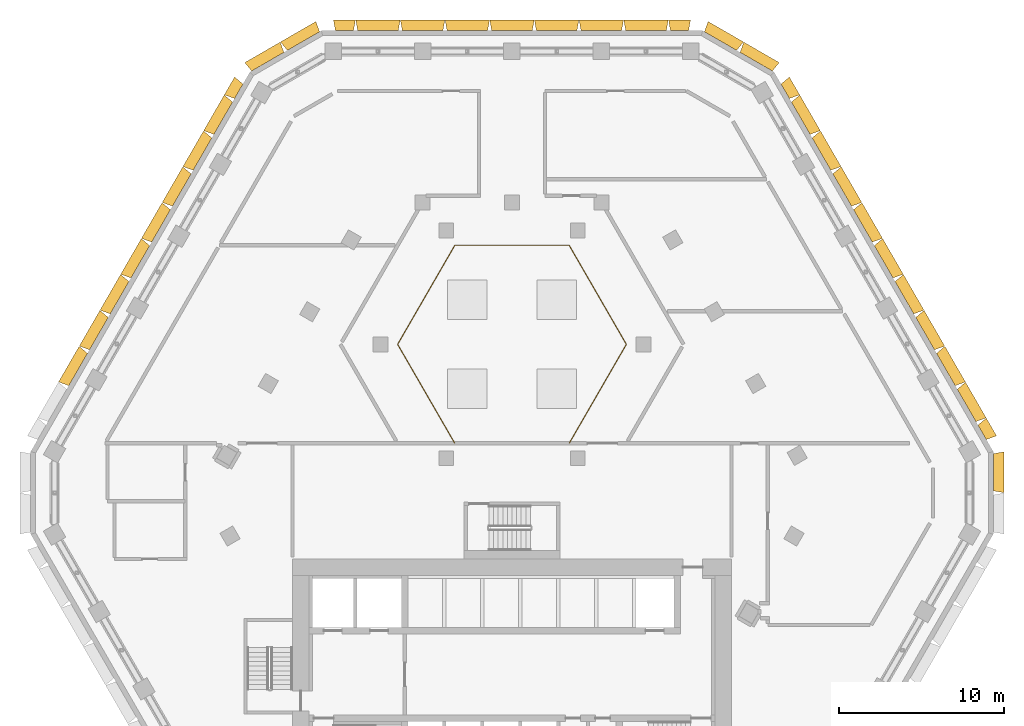
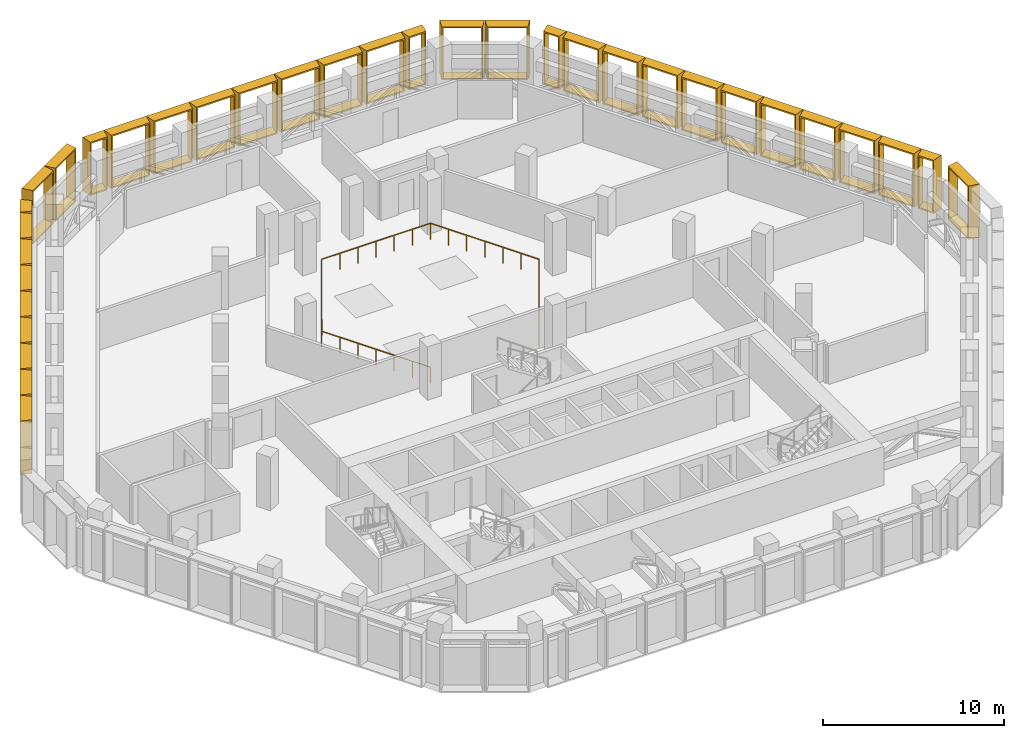
# One storey, part 23 of 23: 34 shading devices, 1 railing.
"""IFC4 building model written with IfcOpenShell, lengths in metres."""

from ifc_helpers import new_model, entity, si_unit, direction, frame, origin, origin_2d, place, context, subcontext, project, spatial, rectangle, extrude, source, transform, mapped, material, type_object, type_shapes, element, save


model = new_model("IFC4")

# Units and contexts
model_context = context("Model", 3, precision=1e-05, world=origin(), true_north=direction((0.0, 1.0)))
body_context = subcontext(model_context, "Body", "Model", "MODEL_VIEW")
ifc_project = project(units=[si_unit("LENGTHUNIT", "METRE"), si_unit("AREAUNIT", "SQUARE_METRE"), si_unit("VOLUMEUNIT", "CUBIC_METRE"), si_unit("PLANEANGLEUNIT", "RADIAN"), si_unit("MASSUNIT", "GRAM", prefix="KILO")], contexts=[model_context])

# Site, building, storey
site_placement = place(None, origin())
site = spatial("IfcSite", under=ifc_project, at=site_placement, CompositionType="ELEMENT")
building_placement = place(site_placement, origin())
building = spatial("IfcBuilding", under=site, at=building_placement, Name="Beryl Residences", CompositionType="ELEMENT")
storey_placement = place(building_placement, frame((0.0, 0.0, 108.0)))
storey = spatial("IfcBuildingStorey", under=building, at=storey_placement, Name="L33", CompositionType="ELEMENT", Elevation=108.0)

# Railing
ifc_material_1 = material(Name="Stainless steel balustrade with glass infill", Category="steel")
railing_type = type_object("IfcRailingType", Name="EG1 edge guard 1100 mm", PredefinedType="GUARDRAIL", material=ifc_material_1)
railing_placement = place(storey_placement, frame((3.464111328125, 2.0, 0.0)))
element("IfcRailing", 1, at=railing_placement, inside=storey, type_object=railing_type, Name="L33 guard 1", PredefinedType="GUARDRAIL", context=body_context, shape_type="SweptSolid", body=[
    extrude(rectangle(XDim=0.048095703125, YDim=0.048095703125, at=origin_2d()), frame((0.0, 0.0, 1.076171875), z_axis=(0.49997462182, 0.866040055388, 0.0), x_axis=(-0.866040055388, 0.49997462182, 0.0)), (0.0, 0.0, 1.0), 6.927978515625),
    extrude(rectangle(XDim=0.048095703125, YDim=0.048095703125, at=origin_2d()), frame((3.4638671875, 6.0, 1.076171875), z_axis=(-0.49997462182, 0.866040055388, 0.0), x_axis=(-0.866040055388, -0.49997462182, 0.0)), (0.0, 0.0, 1.0), 6.927978515625),
    extrude(rectangle(XDim=0.048095703125, YDim=0.048095703125, at=origin_2d()), frame((0.0, 12.0, 1.076171875), z_axis=(-1.0, 0.0, 0.0), x_axis=(0.0, -1.0, 0.0)), (0.0, 0.0, 1.0), 6.92822265625),
    extrude(rectangle(XDim=0.048095703125, YDim=0.048095703125, at=origin_2d()), frame((-6.92822265625, 12.0, 1.076171875), z_axis=(-0.49997462182, -0.866040055388, 0.0), x_axis=(0.866040055388, -0.49997462182, 0.0)), (0.0, 0.0, 1.0), 6.927978515625),
    extrude(rectangle(XDim=0.048095703125, YDim=0.048095703125, at=origin_2d()), frame((-10.39208984375, 6.0, 1.076171875), z_axis=(0.49997462182, -0.866040055388, 0.0), x_axis=(0.866040055388, 0.49997462182, 0.0)), (0.0, 0.0, 1.0), 6.927978515625),
    extrude(rectangle(XDim=0.0419921875, YDim=0.0419921875, at=origin_2d()), origin(), (0.0, 0.0, 1.0), 1.052001953125),
    extrude(rectangle(XDim=0.0419921875, YDim=0.0419921875, at=origin_2d()), frame((0.577392578125, 1.0, 0.0)), (0.0, 0.0, 1.0), 1.052001953125),
    extrude(rectangle(XDim=0.0419921875, YDim=0.0419921875, at=origin_2d()), frame((1.154541015625, 2.0, 0.0)), (0.0, 0.0, 1.0), 1.052001953125),
    extrude(rectangle(XDim=0.0419921875, YDim=0.0419921875, at=origin_2d()), frame((1.73193359375, 3.0, 0.0)), (0.0, 0.0, 1.0), 1.052001953125),
    extrude(rectangle(XDim=0.0419921875, YDim=0.0419921875, at=origin_2d()), frame((2.309326171875, 4.0, 0.0)), (0.0, 0.0, 1.0), 1.052001953125),
    extrude(rectangle(XDim=0.0419921875, YDim=0.0419921875, at=origin_2d()), frame((2.886474609375, 5.0, 0.0)), (0.0, 0.0, 1.0), 1.052001953125),
    extrude(rectangle(XDim=0.0419921875, YDim=0.0419921875, at=origin_2d()), frame((3.4638671875, 6.0, 0.0)), (0.0, 0.0, 1.0), 1.052001953125),
    extrude(rectangle(XDim=0.0419921875, YDim=0.0419921875, at=origin_2d()), frame((2.886474609375, 7.0, 0.0)), (0.0, 0.0, 1.0), 1.052001953125),
    extrude(rectangle(XDim=0.0419921875, YDim=0.0419921875, at=origin_2d()), frame((2.309326171875, 8.0, 0.0)), (0.0, 0.0, 1.0), 1.052001953125),
    extrude(rectangle(XDim=0.0419921875, YDim=0.0419921875, at=origin_2d()), frame((1.73193359375, 9.0, 0.0)), (0.0, 0.0, 1.0), 1.052001953125),
    extrude(rectangle(XDim=0.0419921875, YDim=0.0419921875, at=origin_2d()), frame((1.154541015625, 10.0, 0.0)), (0.0, 0.0, 1.0), 1.052001953125),
    extrude(rectangle(XDim=0.0419921875, YDim=0.0419921875, at=origin_2d()), frame((0.577392578125, 11.0, 0.0)), (0.0, 0.0, 1.0), 1.052001953125),
    extrude(rectangle(XDim=0.0419921875, YDim=0.0419921875, at=origin_2d()), frame((0.0, 12.0, 0.0)), (0.0, 0.0, 1.0), 1.052001953125),
    extrude(rectangle(XDim=0.0419921875, YDim=0.0419921875, at=origin_2d()), frame((-1.15478515625, 12.0, 0.0)), (0.0, 0.0, 1.0), 1.052001953125),
    extrude(rectangle(XDim=0.0419921875, YDim=0.0419921875, at=origin_2d()), frame((-2.309326171875, 12.0, 0.0)), (0.0, 0.0, 1.0), 1.052001953125),
    extrude(rectangle(XDim=0.0419921875, YDim=0.0419921875, at=origin_2d()), frame((-3.464111328125, 12.0, 0.0)), (0.0, 0.0, 1.0), 1.052001953125),
    extrude(rectangle(XDim=0.0419921875, YDim=0.0419921875, at=origin_2d()), frame((-4.618896484375, 12.0, 0.0)), (0.0, 0.0, 1.0), 1.052001953125),
    extrude(rectangle(XDim=0.0419921875, YDim=0.0419921875, at=origin_2d()), frame((-5.7734375, 12.0, 0.0)), (0.0, 0.0, 1.0), 1.052001953125),
    extrude(rectangle(XDim=0.0419921875, YDim=0.0419921875, at=origin_2d()), frame((-6.92822265625, 12.0, 0.0)), (0.0, 0.0, 1.0), 1.052001953125),
    extrude(rectangle(XDim=0.0419921875, YDim=0.0419921875, at=origin_2d()), frame((-7.505615234375, 11.0, 0.0)), (0.0, 0.0, 1.0), 1.052001953125),
    extrude(rectangle(XDim=0.0419921875, YDim=0.0419921875, at=origin_2d()), frame((-8.082763671875, 10.0, 0.0)), (0.0, 0.0, 1.0), 1.052001953125),
    extrude(rectangle(XDim=0.0419921875, YDim=0.0419921875, at=origin_2d()), frame((-8.66015625, 9.0, 0.0)), (0.0, 0.0, 1.0), 1.052001953125),
    extrude(rectangle(XDim=0.0419921875, YDim=0.0419921875, at=origin_2d()), frame((-9.237548828125, 8.0, 0.0)), (0.0, 0.0, 1.0), 1.052001953125),
    extrude(rectangle(XDim=0.0419921875, YDim=0.0419921875, at=origin_2d()), frame((-9.814697265625, 7.0, 0.0)), (0.0, 0.0, 1.0), 1.052001953125),
    extrude(rectangle(XDim=0.0419921875, YDim=0.0419921875, at=origin_2d()), frame((-10.39208984375, 6.0, 0.0)), (0.0, 0.0, 1.0), 1.052001953125),
    extrude(rectangle(XDim=0.0419921875, YDim=0.0419921875, at=origin_2d()), frame((-9.814697265625, 5.0, 0.0)), (0.0, 0.0, 1.0), 1.052001953125),
    extrude(rectangle(XDim=0.0419921875, YDim=0.0419921875, at=origin_2d()), frame((-9.237548828125, 4.0, 0.0)), (0.0, 0.0, 1.0), 1.052001953125),
    extrude(rectangle(XDim=0.0419921875, YDim=0.0419921875, at=origin_2d()), frame((-8.66015625, 3.0, 0.0)), (0.0, 0.0, 1.0), 1.052001953125),
    extrude(rectangle(XDim=0.0419921875, YDim=0.0419921875, at=origin_2d()), frame((-8.082763671875, 2.0, 0.0)), (0.0, 0.0, 1.0), 1.052001953125),
    extrude(rectangle(XDim=0.0419921875, YDim=0.0419921875, at=origin_2d()), frame((-7.505615234375, 1.0, 0.0)), (0.0, 0.0, 1.0), 1.052001953125),
    extrude(rectangle(XDim=0.0419921875, YDim=0.0419921875, at=origin_2d()), frame((-6.92822265625, 0.0, 0.0)), (0.0, 0.0, 1.0), 1.052001953125),
])

# Shading devices
ifc_material_2 = material(Name="Aluminium pale anodised", Category="aluminium")
shading_device_type_1 = type_object("IfcShadingDeviceType", Name="FR126-65A-H36 OUTER SKIN frame 650 mm deep, splay 10/10 deg, 1260 x 3600 mm cell", PredefinedType="USERDEFINED", material=ifc_material_2)
cartesian_point_1 = entity("IfcCartesianPoint", [-0.5048828125, 0.0])
cartesian_point_2 = entity("IfcCartesianPoint", [-0.423828125, 0.10009765625])
cartesian_point_3 = entity("IfcCartesianPoint", [-0.61962890625, 0.0])
cartesian_point_4 = entity("IfcCartesianPoint", [-0.538330078125, 0.10009765625])
shared_shape_1 = source(origin(), body_context, "Body", "SweptSolid", [
    entity("IfcExtrudedAreaSolidTapered", entity("IfcArbitraryProfileDefWithVoids", "AREA", None, entity("IfcPolyline", [cartesian_point_1, entity("IfcCartesianPoint", [0.5048828125, 0.0]), entity("IfcCartesianPoint", [0.5048828125, 3.60009765625]), entity("IfcCartesianPoint", [-0.5048828125, 3.60009765625]), cartesian_point_1]), [entity("IfcPolyline", [cartesian_point_2, entity("IfcCartesianPoint", [0.423828125, 0.10009765625]), entity("IfcCartesianPoint", [0.423828125, 3.5]), entity("IfcCartesianPoint", [-0.423828125, 3.5]), cartesian_point_2])]), entity("IfcAxis2Placement3D", entity("IfcCartesianPoint", [0.0, 0.0, 0.0]), entity("IfcDirection", [0.0, 1.0, 0.0]), entity("IfcDirection", [-1.0, 0.0, 0.0])), entity("IfcDirection", [0.0, 0.0, 1.0]), 0.64990234375, entity("IfcArbitraryProfileDefWithVoids", "AREA", None, entity("IfcPolyline", [cartesian_point_3, entity("IfcCartesianPoint", [0.61962890625, 0.0]), entity("IfcCartesianPoint", [0.61962890625, 3.60009765625]), entity("IfcCartesianPoint", [-0.61962890625, 3.60009765625]), cartesian_point_3]), [entity("IfcPolyline", [cartesian_point_4, entity("IfcCartesianPoint", [0.538330078125, 0.10009765625]), entity("IfcCartesianPoint", [0.538330078125, 3.5]), entity("IfcCartesianPoint", [-0.538330078125, 3.5]), cartesian_point_4])])),
])
type_shapes(shading_device_type_1, [shared_shape_1])
for number, where, z_axis, x_axis, name in (
    (2, (-16.552001953125, 23.33203125, 0.0), (0.0, 0.0, 1.0), (0.5, 0.866025403784, 0.0), "FR126-65A-H36 frame L33 NW 1"),
    (3, (28.48193359375, 2.66796875, 0.0), (0.0, 0.0, 1.0), (0.5, -0.866025403784, 0.0), "FR126-65A-H36 frame L33 NE 1"),
    (4, (16.552001953125, 23.3310546875, 0.0), (0.0, 0.0, 1.0), (0.5, -0.866025403784, 0.0), "FR126-65A-H36 frame L33 NE 11"),
):
    element("IfcShadingDevice", number, at=place(storey_placement, frame(where, z_axis=z_axis, x_axis=x_axis)), inside=storey, type_object=shading_device_type_1, Name=name, ObjectType="OUTER SKIN", PredefinedType="USERDEFINED", context=body_context, shape_type="MappedRepresentation", body=[
        mapped(shared_shape_1, transform((0.0, 0.0, 0.0))),
    ])
ifc_material_3 = material(Name="Aluminium pale anodised", Category="aluminium")
shading_device_type_2 = type_object("IfcShadingDeviceType", Name="FR135-65A-H36 OUTER SKIN frame 650 mm deep, splay 10/10 deg, 1350 x 3600 mm cell", PredefinedType="USERDEFINED", material=ifc_material_3)
cartesian_point_5 = entity("IfcCartesianPoint", [-0.550048828125, 0.0])
cartesian_point_6 = entity("IfcCartesianPoint", [-0.46875, 0.10009765625])
cartesian_point_7 = entity("IfcCartesianPoint", [-0.66455078125, 0.0])
cartesian_point_8 = entity("IfcCartesianPoint", [-0.58349609375, 0.10009765625])
shared_shape_2 = source(origin(), body_context, "Body", "SweptSolid", [
    entity("IfcExtrudedAreaSolidTapered", entity("IfcArbitraryProfileDefWithVoids", "AREA", None, entity("IfcPolyline", [cartesian_point_5, entity("IfcCartesianPoint", [0.550048828125, 0.0]), entity("IfcCartesianPoint", [0.550048828125, 3.60009765625]), entity("IfcCartesianPoint", [-0.550048828125, 3.60009765625]), cartesian_point_5]), [entity("IfcPolyline", [cartesian_point_6, entity("IfcCartesianPoint", [0.46875, 0.10009765625]), entity("IfcCartesianPoint", [0.46875, 3.5]), entity("IfcCartesianPoint", [-0.46875, 3.5]), cartesian_point_6])]), entity("IfcAxis2Placement3D", entity("IfcCartesianPoint", [0.0, 0.0, 0.0]), entity("IfcDirection", [0.0, 1.0, 0.0]), entity("IfcDirection", [-1.0, 0.0, 0.0])), entity("IfcDirection", [0.0, 0.0, 1.0]), 0.64990234375, entity("IfcArbitraryProfileDefWithVoids", "AREA", None, entity("IfcPolyline", [cartesian_point_7, entity("IfcCartesianPoint", [0.66455078125, 0.0]), entity("IfcCartesianPoint", [0.66455078125, 3.60009765625]), entity("IfcCartesianPoint", [-0.66455078125, 3.60009765625]), cartesian_point_7]), [entity("IfcPolyline", [cartesian_point_8, entity("IfcCartesianPoint", [0.58349609375, 0.10009765625]), entity("IfcCartesianPoint", [0.58349609375, 3.5]), entity("IfcCartesianPoint", [-0.58349609375, 3.5]), cartesian_point_8])])),
])
type_shapes(shading_device_type_2, [shared_shape_2])
for number, where, z_axis, x_axis, name in (
    (5, (10.14794921875, 27.0, 0.0), (0.0, 0.0, 1.0), (1.0, 0.0, 0.0), "FR135-65A-H36 frame L33 N 1"),
    (6, (-10.14990234375, 27.0, 0.0), (0.0, 0.0, 1.0), (1.0, 0.0, 0.0), "FR135-65A-H36 frame L33 N 9"),
):
    element("IfcShadingDevice", number, at=place(storey_placement, frame(where, z_axis=z_axis, x_axis=x_axis)), inside=storey, type_object=shading_device_type_2, Name=name, ObjectType="OUTER SKIN", PredefinedType="USERDEFINED", context=body_context, shape_type="MappedRepresentation", body=[
        mapped(shared_shape_2, transform((0.0, 0.0, 0.0))),
    ])
ifc_material_4 = material(Name="Aluminium pale anodised", Category="aluminium")
shading_device_type_3 = type_object("IfcShadingDeviceType", Name="FR250-65A-H36 OUTER SKIN frame 650 mm deep, splay 10/10 deg, 2500 x 3600 mm cell", PredefinedType="USERDEFINED", material=ifc_material_4)
cartesian_point_9 = entity("IfcCartesianPoint", [-1.125, 0.0])
cartesian_point_10 = entity("IfcCartesianPoint", [-1.043701171875, 0.10009765625])
cartesian_point_11 = entity("IfcCartesianPoint", [-1.239501953125, 0.0])
cartesian_point_12 = entity("IfcCartesianPoint", [-1.158447265625, 0.10009765625])
shared_shape_3 = source(origin(), body_context, "Body", "SweptSolid", [
    entity("IfcExtrudedAreaSolidTapered", entity("IfcArbitraryProfileDefWithVoids", "AREA", None, entity("IfcPolyline", [cartesian_point_9, entity("IfcCartesianPoint", [1.125, 0.0]), entity("IfcCartesianPoint", [1.125, 3.60009765625]), entity("IfcCartesianPoint", [-1.125, 3.60009765625]), cartesian_point_9]), [entity("IfcPolyline", [cartesian_point_10, entity("IfcCartesianPoint", [1.043701171875, 0.10009765625]), entity("IfcCartesianPoint", [1.043701171875, 3.5]), entity("IfcCartesianPoint", [-1.043701171875, 3.5]), cartesian_point_10])]), entity("IfcAxis2Placement3D", entity("IfcCartesianPoint", [0.0, 0.0, 0.0]), entity("IfcDirection", [0.0, 1.0, 0.0]), entity("IfcDirection", [-1.0, 0.0, 0.0])), entity("IfcDirection", [0.0, 0.0, 1.0]), 0.64990234375, entity("IfcArbitraryProfileDefWithVoids", "AREA", None, entity("IfcPolyline", [cartesian_point_11, entity("IfcCartesianPoint", [1.239501953125, 0.0]), entity("IfcCartesianPoint", [1.239501953125, 3.60009765625]), entity("IfcCartesianPoint", [-1.239501953125, 3.60009765625]), cartesian_point_11]), [entity("IfcPolyline", [cartesian_point_12, entity("IfcCartesianPoint", [1.158447265625, 0.10009765625]), entity("IfcCartesianPoint", [1.158447265625, 3.5]), entity("IfcCartesianPoint", [-1.158447265625, 3.5]), cartesian_point_12])])),
])
type_shapes(shading_device_type_3, [shared_shape_3])
for number, where, z_axis, x_axis, name in (
    (7, (-12.6298828125, 26.375, 0.0), (0.0, 0.0, 1.0), (0.866025403784, 0.5, 0.0), "FR250-65A-H36 frame L33 N-NW 1"),
    (8, (-14.7939453125, 25.125, 0.0), (0.0, 0.0, 1.0), (0.866025403784, 0.5, 0.0), "FR250-65A-H36 frame L33 N-NW 2"),
    (9, (29.156982421875, 0.25, 0.0), (0.0, 0.0, 1.0), (0.0, -1.0, 0.0), "FR250-65A-H36 frame L33 SE-NE 2"),
    (10, (14.7939453125, 25.125, 0.0), (0.0, 0.0, 1.0), (0.866025403784, -0.5, 0.0), "FR250-65A-H36 frame L33 NE-N 1"),
    (11, (12.6298828125, 26.375, 0.0), (0.0, 0.0, 1.0), (0.866025403784, -0.5, 0.0), "FR250-65A-H36 frame L33 NE-N 2"),
):
    element("IfcShadingDevice", number, at=place(storey_placement, frame(where, z_axis=z_axis, x_axis=x_axis)), inside=storey, type_object=shading_device_type_3, Name=name, ObjectType="OUTER SKIN", PredefinedType="USERDEFINED", context=body_context, shape_type="MappedRepresentation", body=[
        mapped(shared_shape_3, transform((0.0, 0.0, 0.0))),
    ])
ifc_material_5 = material(Name="Aluminium pale anodised", Category="aluminium")
shading_device_type_4 = type_object("IfcShadingDeviceType", Name="FR251-65A-H36 OUTER SKIN frame 650 mm deep, splay 10/10 deg, 2510 x 3600 mm cell", PredefinedType="USERDEFINED", material=ifc_material_5)
cartesian_point_13 = entity("IfcCartesianPoint", [-1.1298828125, 0.0])
cartesian_point_14 = entity("IfcCartesianPoint", [-1.048828125, 0.10009765625])
cartesian_point_15 = entity("IfcCartesianPoint", [-1.24462890625, 0.0])
cartesian_point_16 = entity("IfcCartesianPoint", [-1.163330078125, 0.10009765625])
shared_shape_4 = source(origin(), body_context, "Body", "SweptSolid", [
    entity("IfcExtrudedAreaSolidTapered", entity("IfcArbitraryProfileDefWithVoids", "AREA", None, entity("IfcPolyline", [cartesian_point_13, entity("IfcCartesianPoint", [1.1298828125, 0.0]), entity("IfcCartesianPoint", [1.1298828125, 3.60009765625]), entity("IfcCartesianPoint", [-1.1298828125, 3.60009765625]), cartesian_point_13]), [entity("IfcPolyline", [cartesian_point_14, entity("IfcCartesianPoint", [1.048828125, 0.10009765625]), entity("IfcCartesianPoint", [1.048828125, 3.5]), entity("IfcCartesianPoint", [-1.048828125, 3.5]), cartesian_point_14])]), entity("IfcAxis2Placement3D", entity("IfcCartesianPoint", [0.0, 0.0, 0.0]), entity("IfcDirection", [0.0, 1.0, 0.0]), entity("IfcDirection", [-1.0, 0.0, 0.0])), entity("IfcDirection", [0.0, 0.0, 1.0]), 0.64990234375, entity("IfcArbitraryProfileDefWithVoids", "AREA", None, entity("IfcPolyline", [cartesian_point_15, entity("IfcCartesianPoint", [1.24462890625, 0.0]), entity("IfcCartesianPoint", [1.24462890625, 3.60009765625]), entity("IfcCartesianPoint", [-1.24462890625, 3.60009765625]), cartesian_point_15]), [entity("IfcPolyline", [cartesian_point_16, entity("IfcCartesianPoint", [1.163330078125, 0.10009765625]), entity("IfcCartesianPoint", [1.163330078125, 3.5]), entity("IfcCartesianPoint", [-1.163330078125, 3.5]), cartesian_point_16])])),
])
type_shapes(shading_device_type_4, [shared_shape_4])
for number, where, z_axis, x_axis, name in (
    (12, (-17.493896484375, 21.699951171875, 0.0), (0.0, 0.0, 1.0), (0.5, 0.866025403784, 0.0), "FR251-65A-H36 frame L33 NW 2"),
    (13, (-18.7490234375, 19.52490234375, 0.0), (0.0, 0.0, 1.0), (0.5, 0.866025403784, 0.0), "FR251-65A-H36 frame L33 NW 3"),
    (14, (-20.0048828125, 17.35009765625, 0.0), (0.0, 0.0, 1.0), (0.5, 0.866025403784, 0.0), "FR251-65A-H36 frame L33 NW 4"),
    (15, (-21.260986328125, 15.175048828125, 0.0), (0.0, 0.0, 1.0), (0.5, 0.866025403784, 0.0), "FR251-65A-H36 frame L33 NW 5"),
    (16, (-22.51708984375, 13.0, 0.0), (0.0, 0.0, 1.0), (0.5, 0.866025403784, 0.0), "FR251-65A-H36 frame L33 NW 6"),
    (17, (-23.77294921875, 10.824951171875, 0.0), (0.0, 0.0, 1.0), (0.5, 0.866025403784, 0.0), "FR251-65A-H36 frame L33 NW 7"),
    (18, (-25.028076171875, 8.64990234375, 0.0), (0.0, 0.0, 1.0), (0.5, 0.866025403784, 0.0), "FR251-65A-H36 frame L33 NW 8"),
    (19, (-26.283935546875, 6.47509765625, 0.0), (0.0, 0.0, 1.0), (0.5, 0.866025403784, 0.0), "FR251-65A-H36 frame L33 NW 9"),
    (20, (27.5400390625, 4.300048828125, 0.0), (0.0, 0.0, 1.0), (0.5, -0.866025403784, 0.0), "FR251-65A-H36 frame L33 NE 2"),
    (21, (26.284912109375, 6.47509765625, 0.0), (0.0, 0.0, 1.0), (0.5, -0.866025403784, 0.0), "FR251-65A-H36 frame L33 NE 3"),
    (22, (25.029052734375, 8.64990234375, 0.0), (0.0, 0.0, 1.0), (0.5, -0.866025403784, 0.0), "FR251-65A-H36 frame L33 NE 4"),
    (23, (23.77294921875, 10.824951171875, 0.0), (0.0, 0.0, 1.0), (0.5, -0.866025403784, 0.0), "FR251-65A-H36 frame L33 NE 5"),
    (24, (22.51708984375, 13.0, 0.0), (0.0, 0.0, 1.0), (0.5, -0.866025403784, 0.0), "FR251-65A-H36 frame L33 NE 6"),
    (25, (21.260986328125, 15.175048828125, 0.0), (0.0, 0.0, 1.0), (0.5, -0.866025403784, 0.0), "FR251-65A-H36 frame L33 NE 7"),
    (26, (20.006103515625, 17.35009765625, 0.0), (0.0, 0.0, 1.0), (0.5, -0.866025403784, 0.0), "FR251-65A-H36 frame L33 NE 8"),
    (27, (18.75, 19.52490234375, 0.0), (0.0, 0.0, 1.0), (0.5, -0.866025403784, 0.0), "FR251-65A-H36 frame L33 NE 9"),
    (28, (17.493896484375, 21.699951171875, 0.0), (0.0, 0.0, 1.0), (0.5, -0.866025403784, 0.0), "FR251-65A-H36 frame L33 NE 10"),
):
    element("IfcShadingDevice", number, at=place(storey_placement, frame(where, z_axis=z_axis, x_axis=x_axis)), inside=storey, type_object=shading_device_type_4, Name=name, ObjectType="OUTER SKIN", PredefinedType="USERDEFINED", context=body_context, shape_type="MappedRepresentation", body=[
        mapped(shared_shape_4, transform((0.0, 0.0, 0.0))),
    ])
ifc_material_6 = material(Name="Aluminium pale anodised", Category="aluminium")
shading_device_type_5 = type_object("IfcShadingDeviceType", Name="FR271-65A-H36 OUTER SKIN frame 650 mm deep, splay 10/10 deg, 2710 x 3600 mm cell", PredefinedType="USERDEFINED", material=ifc_material_6)
cartesian_point_17 = entity("IfcCartesianPoint", [-1.22998046875, 0.0])
cartesian_point_18 = entity("IfcCartesianPoint", [-1.148681640625, 0.10009765625])
cartesian_point_19 = entity("IfcCartesianPoint", [-1.3447265625, 0.0])
cartesian_point_20 = entity("IfcCartesianPoint", [-1.263427734375, 0.10009765625])
shared_shape_5 = source(origin(), body_context, "Body", "SweptSolid", [
    entity("IfcExtrudedAreaSolidTapered", entity("IfcArbitraryProfileDefWithVoids", "AREA", None, entity("IfcPolyline", [cartesian_point_17, entity("IfcCartesianPoint", [1.22998046875, 0.0]), entity("IfcCartesianPoint", [1.22998046875, 3.60009765625]), entity("IfcCartesianPoint", [-1.22998046875, 3.60009765625]), cartesian_point_17]), [entity("IfcPolyline", [cartesian_point_18, entity("IfcCartesianPoint", [1.148681640625, 0.10009765625]), entity("IfcCartesianPoint", [1.148681640625, 3.5]), entity("IfcCartesianPoint", [-1.148681640625, 3.5]), cartesian_point_18])]), entity("IfcAxis2Placement3D", entity("IfcCartesianPoint", [0.0, 0.0, 0.0]), entity("IfcDirection", [0.0, 1.0, 0.0]), entity("IfcDirection", [-1.0, 0.0, 0.0])), entity("IfcDirection", [0.0, 0.0, 1.0]), 0.64990234375, entity("IfcArbitraryProfileDefWithVoids", "AREA", None, entity("IfcPolyline", [cartesian_point_19, entity("IfcCartesianPoint", [1.3447265625, 0.0]), entity("IfcCartesianPoint", [1.3447265625, 3.60009765625]), entity("IfcCartesianPoint", [-1.3447265625, 3.60009765625]), cartesian_point_19]), [entity("IfcPolyline", [cartesian_point_20, entity("IfcCartesianPoint", [1.263427734375, 0.10009765625]), entity("IfcCartesianPoint", [1.263427734375, 3.5]), entity("IfcCartesianPoint", [-1.263427734375, 3.5]), cartesian_point_20])])),
])
type_shapes(shading_device_type_5, [shared_shape_5])
for number, where, z_axis, x_axis, name in (
    (29, (8.118896484375, 27.0, 0.0), (0.0, 0.0, 1.0), (1.0, 0.0, 0.0), "FR271-65A-H36 frame L33 N 2"),
    (30, (5.412109375, 27.0, 0.0), (0.0, 0.0, 1.0), (1.0, 0.0, 0.0), "FR271-65A-H36 frame L33 N 3"),
    (31, (2.705078125, 27.0, 0.0), (0.0, 0.0, 1.0), (1.0, 0.0, 0.0), "FR271-65A-H36 frame L33 N 4"),
    (32, (-0.0009765625, 27.0, 0.0), (0.0, 0.0, 1.0), (1.0, 0.0, 0.0), "FR271-65A-H36 frame L33 N 5"),
    (33, (-2.70703125, 27.0, 0.0), (0.0, 0.0, 1.0), (1.0, 0.0, 0.0), "FR271-65A-H36 frame L33 N 6"),
    (34, (-5.4140625, 27.0, 0.0), (0.0, 0.0, 1.0), (1.0, 0.0, 0.0), "FR271-65A-H36 frame L33 N 7"),
    (35, (-8.1201171875, 27.0, 0.0), (0.0, 0.0, 1.0), (1.0, 0.0, 0.0), "FR271-65A-H36 frame L33 N 8"),
):
    element("IfcShadingDevice", number, at=place(storey_placement, frame(where, z_axis=z_axis, x_axis=x_axis)), inside=storey, type_object=shading_device_type_5, Name=name, ObjectType="OUTER SKIN", PredefinedType="USERDEFINED", context=body_context, shape_type="MappedRepresentation", body=[
        mapped(shared_shape_5, transform((0.0, 0.0, 0.0))),
    ])

save(model, "model.ifc")
